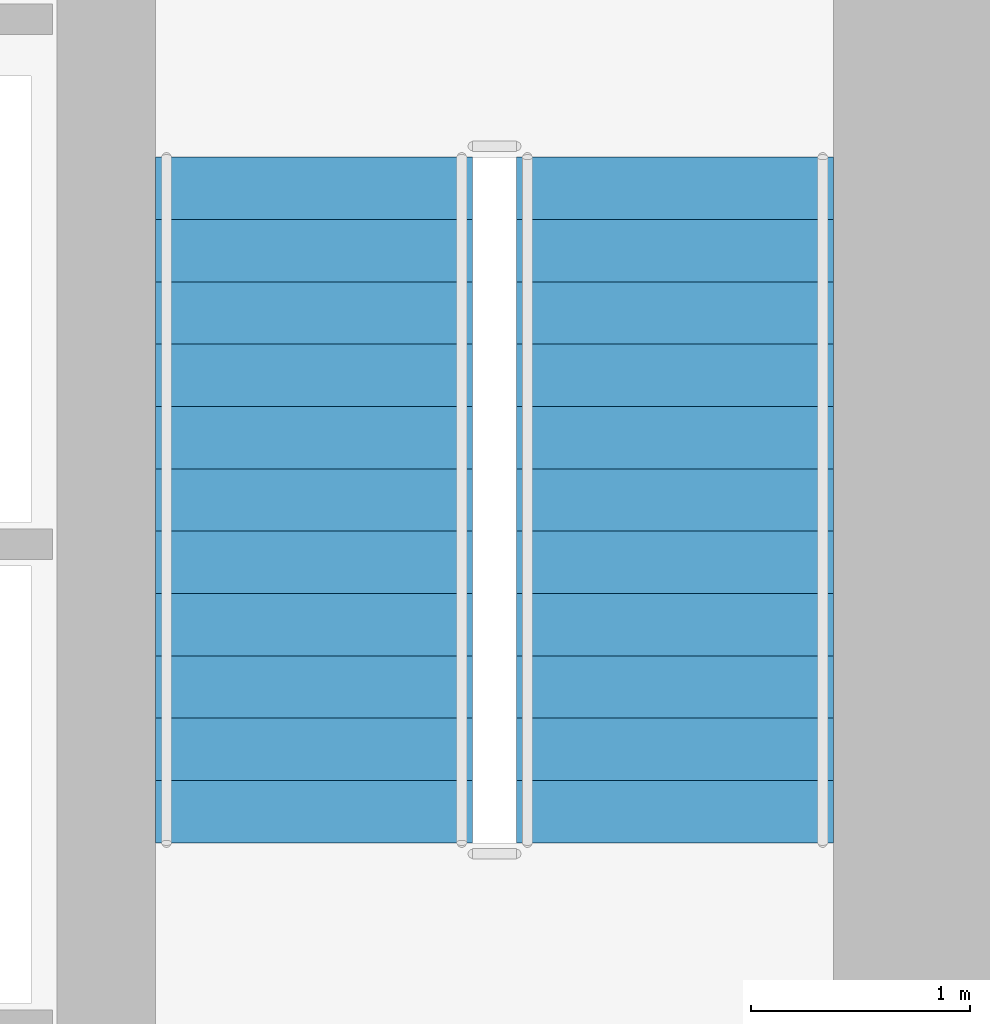
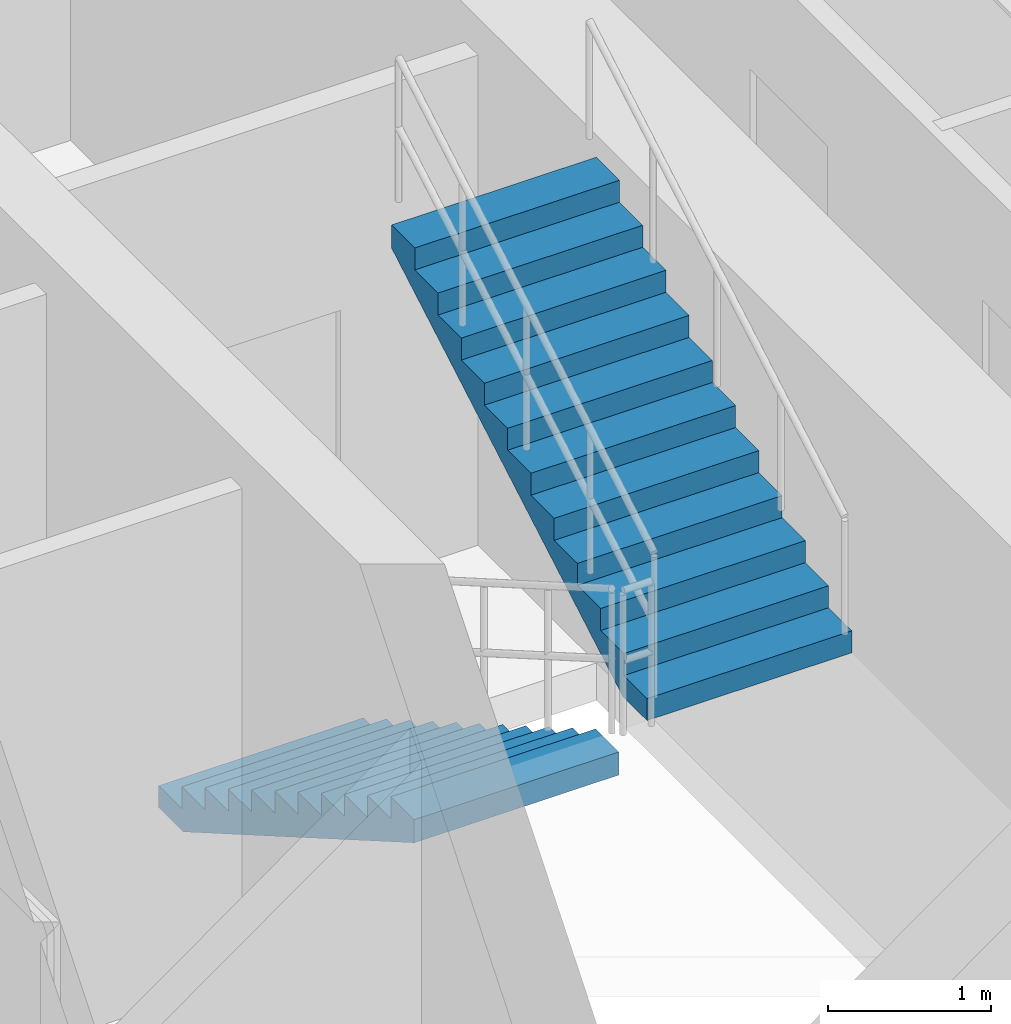
# One storey, part 28 of 30: 2 stair flights, 1 element without a shape of its own.
"""IFC4 building model written with IfcOpenShell, lengths in metres."""

from ifc_helpers import new_model, si_unit, direction, frame, origin, place, context, subcontext, project, spatial, polyline, outline, extrude, material, type_object, element, aggregate, save


model = new_model("IFC4")

# Units and contexts
model_context = context("Model", 3, precision=1e-05, world=origin(), true_north=direction((0.0, 1.0)))
body_context = subcontext(model_context, "Body", "Model", "MODEL_VIEW")
ifc_project = project(units=[si_unit("LENGTHUNIT", "METRE"), si_unit("AREAUNIT", "SQUARE_METRE"), si_unit("VOLUMEUNIT", "CUBIC_METRE"), si_unit("PLANEANGLEUNIT", "RADIAN"), si_unit("MASSUNIT", "GRAM", prefix="KILO")], contexts=[model_context])

# Site, building, storey
site_placement = place(None, origin())
site = spatial("IfcSite", under=ifc_project, at=site_placement, CompositionType="ELEMENT")
building_placement = place(site_placement, origin())
building = spatial("IfcBuilding", under=site, at=building_placement, Name="Krantzveldt Concourse Tower", CompositionType="ELEMENT")
storey_placement = place(building_placement, frame((0.0, 0.0, 48.699951171875)))
storey = spatial("IfcBuildingStorey", under=building, at=storey_placement, Name="L11", CompositionType="ELEMENT", Elevation=48.699951171875)

# Stair, stair flights
ifc_material = material(Name="Precast concrete C40/50", Category="concrete")
stair_type = type_object("IfcStairType", Name="STR-CORE-DOGLEG", PredefinedType="HALF_TURN_STAIR", material=ifc_material)
stair_placement = place(storey_placement, origin())
stair = element("IfcStair", 1, at=stair_placement, inside=storey, type_object=stair_type, Name="L11 Protected Escape Stair ST-2", PredefinedType="HALF_TURN_STAIR")
stair_flight_type = type_object("IfcStairFlightType", Name="STF-CORE-1450", PredefinedType="STRAIGHT", material=ifc_material)
stair_flight_1_placement = place(storey_placement, frame((40.7451171875, 19.550048828125, 0.0), z_axis=(0.0, 0.0, 1.0), x_axis=(0.0, -1.0, 0.0)))
stair_flight_1 = element("IfcStairFlight", 2, at=stair_flight_1_placement, type_object=stair_flight_type, Name="ST-2 flight 1", NumberOfRisers=12, NumberOfTreads=11, PredefinedType="STRAIGHT", RiserHeight=0.164583333, TreadLength=0.285, context=body_context, shape_type="SweptSolid", body=[
    extrude(outline(polyline([(0.0, 0.0), (0.0, 0.16455078125), (0.284912109375, 0.16455078125), (0.284912109375, 0.3291015625), (0.570068359375, 0.3291015625), (0.570068359375, 0.49365234375), (0.85498046875, 0.49365234375), (0.85498046875, 0.658447265625), (1.139892578125, 0.658447265625), (1.139892578125, 0.822998046875), (1.425048828125, 0.822998046875), (1.425048828125, 0.987548828125), (1.7099609375, 0.987548828125), (1.7099609375, 1.152099609375), (1.9951171875, 1.152099609375), (1.9951171875, 1.316650390625), (2.280029296875, 1.316650390625), (2.280029296875, 1.481201171875), (2.56494140625, 1.481201171875), (2.56494140625, 1.645751953125), (2.85009765625, 1.645751953125), (2.85009765625, 1.810302734375), (3.135009765625, 1.810302734375), (3.135009765625, 1.97509765625), (3.135009765625, 1.63720703125), (0.2998046875, 0.0), (0.0, 0.0)])), frame((0.0, 0.72509765625, 0.0), z_axis=(0.0, -1.0, 0.0), x_axis=(1.0, 0.0, 0.0)), (0.0, 0.0, 1.0), 1.449951171875),
])
stair_flight_2_placement = place(storey_placement, frame((42.39501953125, 16.4150390625, 1.97509765625), z_axis=(0.0, 0.0, 1.0), x_axis=(0.0, 1.0, 0.0)))
stair_flight_2 = element("IfcStairFlight", 3, at=stair_flight_2_placement, type_object=stair_flight_type, Name="ST-2 flight 2", NumberOfRisers=12, NumberOfTreads=11, PredefinedType="STRAIGHT", RiserHeight=0.164583333, TreadLength=0.285, context=body_context, shape_type="SweptSolid", body=[
    extrude(outline(polyline([(0.0, 0.0), (0.0, 0.16455078125), (0.284912109375, 0.16455078125), (0.284912109375, 0.3291015625), (0.570068359375, 0.3291015625), (0.570068359375, 0.49365234375), (0.85498046875, 0.49365234375), (0.85498046875, 0.658447265625), (1.139892578125, 0.658447265625), (1.139892578125, 0.822998046875), (1.425048828125, 0.822998046875), (1.425048828125, 0.987548828125), (1.7099609375, 0.987548828125), (1.7099609375, 1.152099609375), (1.9951171875, 1.152099609375), (1.9951171875, 1.316650390625), (2.280029296875, 1.316650390625), (2.280029296875, 1.481201171875), (2.56494140625, 1.481201171875), (2.56494140625, 1.645751953125), (2.85009765625, 1.645751953125), (2.85009765625, 1.810302734375), (3.135009765625, 1.810302734375), (3.135009765625, 1.97509765625), (3.135009765625, 1.63720703125), (0.2998046875, 0.0), (0.0, 0.0)])), frame((0.0, 0.72509765625, 0.0), z_axis=(0.0, -1.0, 0.0), x_axis=(1.0, 0.0, 0.0)), (0.0, 0.0, 1.0), 1.449951171875),
])
aggregate(stair, [stair_flight_1, stair_flight_2])

save(model, "model.ifc")
